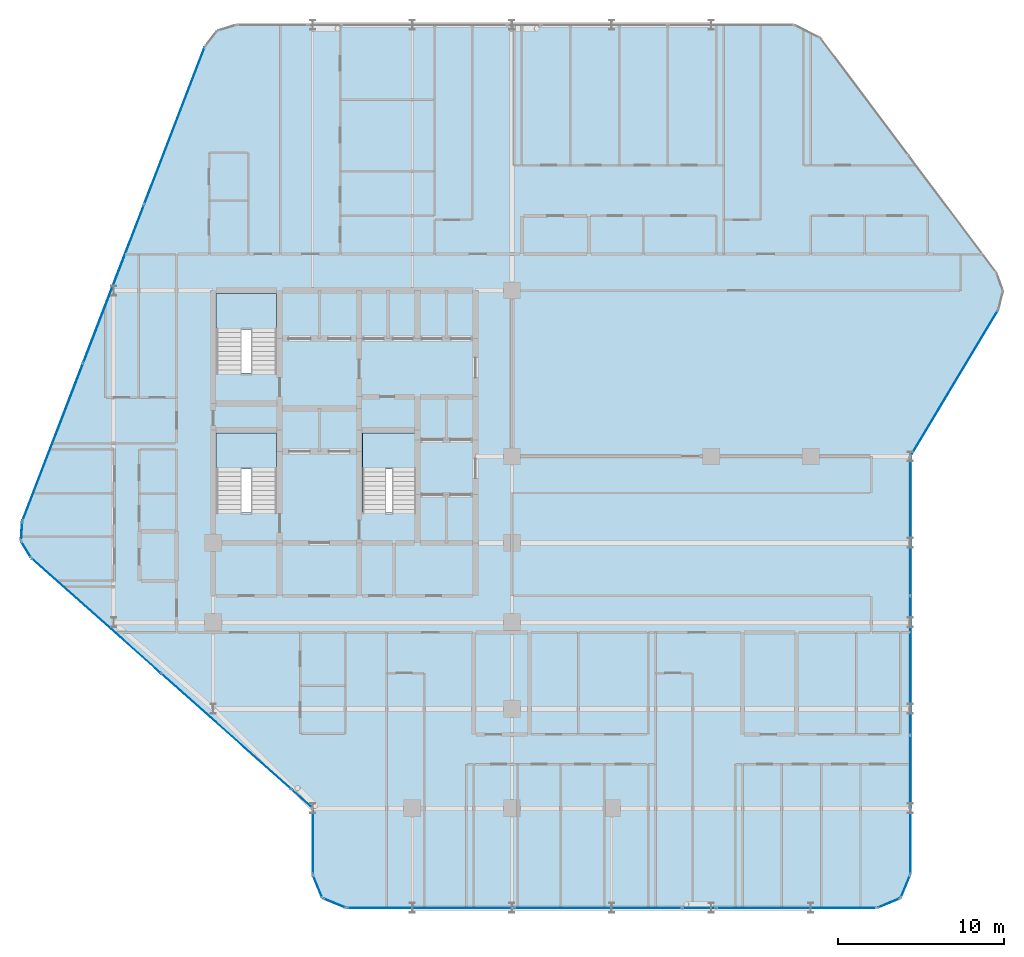
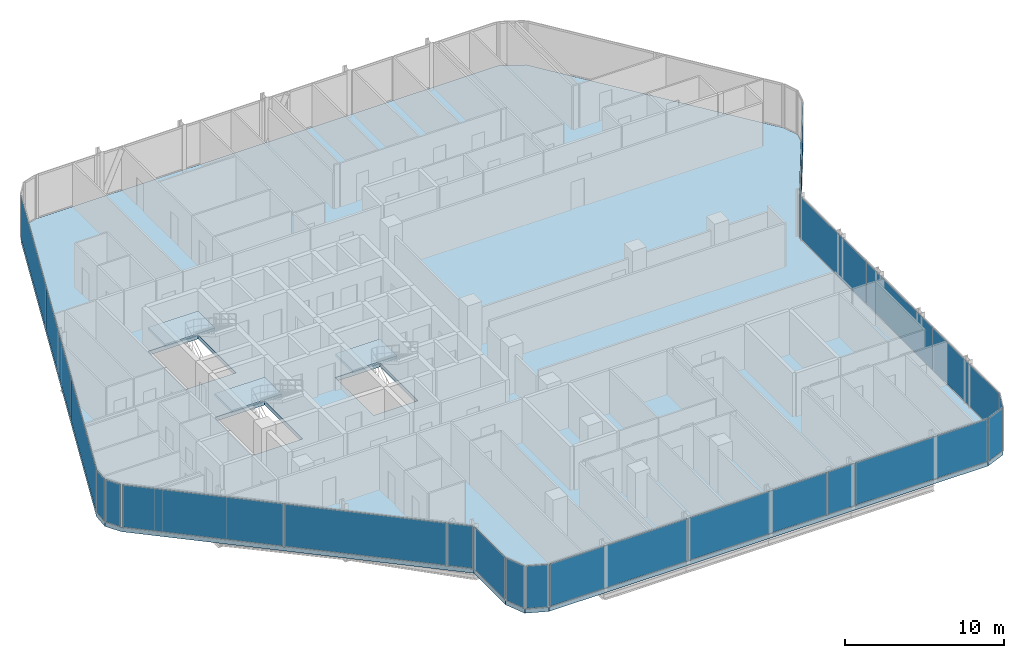
# One storey, part 21 of 29: 21 plates, 4 slabs, 18 elements without a shape of their own.
"""IFC4 building model written with IfcOpenShell, lengths in metres."""

from ifc_helpers import new_model, si_unit, direction, frame, origin, origin_2d, place, context, subcontext, project, spatial, polyline, rectangle, outline, extrude, material, layer, layer_set, type_object, element, aggregate, save


model = new_model("IFC4")

# Units and contexts
model_context = context("Model", 3, precision=1e-05, world=origin(), true_north=direction((0.0, 1.0)))
body_context = subcontext(model_context, "Body", "Model", "MODEL_VIEW")
ifc_project = project(units=[si_unit("LENGTHUNIT", "METRE"), si_unit("AREAUNIT", "SQUARE_METRE"), si_unit("VOLUMEUNIT", "CUBIC_METRE"), si_unit("PLANEANGLEUNIT", "RADIAN"), si_unit("MASSUNIT", "GRAM", prefix="KILO")], contexts=[model_context])

# Site, building, storey
site_placement = place(None, origin())
site = spatial("IfcSite", under=ifc_project, at=site_placement, CompositionType="ELEMENT")
building_placement = place(site_placement, origin())
building = spatial("IfcBuilding", under=site, at=building_placement, Name="Keshet Zoharim Tower", CompositionType="ELEMENT")
storey_placement = place(building_placement, frame((0.0, 0.0, 98.300048828125)))
storey = spatial("IfcBuildingStorey", under=building, at=storey_placement, Name="L23", CompositionType="ELEMENT", Elevation=98.300048828125)

# Curtain wall, plate
ifc_material_1 = material(Name="Aluminium 6063-T6", Category="aluminium")
ifc_layer_1 = layer(ifc_material_1, 0.159912109375)
ifc_layer_set_1 = layer_set([ifc_layer_1], Name="Aluminium 6063-T6")
curtain_wall_type = type_object("IfcCurtainWallType", Name="CW-SYS-03", PredefinedType="NOTDEFINED", material=ifc_layer_set_1)
curtain_wall_1_placement = place(storey_placement, origin())
curtain_wall_1 = element("IfcCurtainWall", 1, at=curtain_wall_1_placement, inside=storey, type_object=curtain_wall_type, Name="L23 Unitised Curtain Wall 01", PredefinedType="NOTDEFINED")
ifc_material_2 = material(Name="Insulated Low-E Clear Glass", Category="glass")
ifc_layer_2 = layer(ifc_material_2, 0.035888671875)
ifc_layer_set_2 = layer_set([ifc_layer_2], Name="Insulated Low-E Clear Glass")
plate_type_1 = type_object("IfcPlateType", Name="CWP-01", PredefinedType="CURTAIN_PANEL", material=ifc_layer_set_2)
plate_1_placement = place(storey_placement, frame((56.70703125, 1.992919921875, 0.06982421875), z_axis=(0.0, 0.0, 1.0), x_axis=(-0.382851849847, -0.92380975372, 0.0)))
plate_1 = element("IfcPlate", 2, at=plate_1_placement, type_object=plate_type_1, Name="CW-03 panel 1.1", PredefinedType="CURTAIN_PANEL", context=body_context, shape_type="SweptSolid", body=[
    extrude(rectangle(XDim=1.390625, YDim=0.035888671875, at=origin_2d()), origin(), (0.0, 0.0, 1.0), 3.2451171875),
])
aggregate(curtain_wall_1, [plate_1])

curtain_wall_2_placement = place(storey_placement, origin())
curtain_wall_2 = element("IfcCurtainWall", 3, at=curtain_wall_2_placement, inside=storey, type_object=curtain_wall_type, Name="L23 Unitised Curtain Wall 02", PredefinedType="NOTDEFINED")
plate_2_placement = place(storey_placement, frame((55.70703125, 0.992919921875, 0.06982421875), z_axis=(0.0, 0.0, 1.0), x_axis=(-0.92380975372, -0.382851849847, 0.0)))
plate_2 = element("IfcPlate", 4, at=plate_2_placement, type_object=plate_type_1, Name="CW-03 panel 1.1", PredefinedType="CURTAIN_PANEL", context=body_context, shape_type="SweptSolid", body=[
    extrude(rectangle(XDim=1.390625, YDim=0.035888671875, at=origin_2d()), origin(), (0.0, 0.0, 1.0), 3.2451171875),
])
aggregate(curtain_wall_2, [plate_2])

curtain_wall_3_placement = place(storey_placement, origin())
curtain_wall_3 = element("IfcCurtainWall", 5, at=curtain_wall_3_placement, inside=storey, type_object=curtain_wall_type, Name="L23 Unitised Curtain Wall 03", PredefinedType="NOTDEFINED")
plate_3_placement = place(storey_placement, frame((50.13134765625, 0.699951171875, 0.06982421875), z_axis=(0.0, 0.0, 1.0), x_axis=(-1.0, 0.0, 0.0)))
plate_3 = element("IfcPlate", 6, at=plate_3_placement, type_object=plate_type_1, Name="CW-03 panel 1.1", PredefinedType="CURTAIN_PANEL", context=body_context, shape_type="SweptSolid", body=[
    extrude(rectangle(XDim=9.597412109375, YDim=0.035888671875, at=origin_2d()), origin(), (0.0, 0.0, 1.0), 3.2451171875),
])
aggregate(curtain_wall_3, [plate_3])

# Curtain wall, plates
curtain_wall_4_placement = place(storey_placement, origin())
curtain_wall_4 = element("IfcCurtainWall", 7, at=curtain_wall_4_placement, inside=storey, type_object=curtain_wall_type, Name="L23 Unitised Curtain Wall 03 Part 3", PredefinedType="NOTDEFINED")
plate_4_placement = place(storey_placement, frame((38.195556640625, 0.699951171875, 0.06982421875), z_axis=(0.0, 0.0, 1.0), x_axis=(-1.0, 0.0, 0.0)))
plate_4 = element("IfcPlate", 8, at=plate_4_placement, type_object=plate_type_1, Name="CW-03 panel 1.1", PredefinedType="CURTAIN_PANEL", context=body_context, shape_type="SweptSolid", body=[
    extrude(rectangle(XDim=10.083740234375, YDim=0.035888671875, at=origin_2d()), origin(), (0.0, 0.0, 1.0), 3.2451171875),
])
plate_5_placement = place(storey_placement, frame((28.076904296875, 0.699951171875, 0.06982421875), z_axis=(0.0, 0.0, 1.0), x_axis=(-1.0, 0.0, 0.0)))
plate_5 = element("IfcPlate", 9, at=plate_5_placement, type_object=plate_type_1, Name="CW-03 panel 2.1", PredefinedType="CURTAIN_PANEL", context=body_context, shape_type="SweptSolid", body=[
    extrude(rectangle(XDim=10.013671875, YDim=0.035888671875, at=origin_2d()), origin(), (0.0, 0.0, 1.0), 3.2451171875),
])
aggregate(curtain_wall_4, [plate_4, plate_5])

# Curtain wall, plate
curtain_wall_5_placement = place(storey_placement, origin())
curtain_wall_5 = element("IfcCurtainWall", 10, at=curtain_wall_5_placement, inside=storey, type_object=curtain_wall_type, Name="L23 Unitised Curtain Wall 04", PredefinedType="NOTDEFINED")
plate_6_placement = place(storey_placement, frame((22.29296875, 0.992919921875, 0.06982421875), z_axis=(0.0, 0.0, 1.0), x_axis=(-0.92380975372, 0.382851849847, 0.0)))
plate_6 = element("IfcPlate", 11, at=plate_6_placement, type_object=plate_type_1, Name="CW-03 panel 1.1", PredefinedType="CURTAIN_PANEL", context=body_context, shape_type="SweptSolid", body=[
    extrude(rectangle(XDim=1.390625, YDim=0.035888671875, at=origin_2d()), origin(), (0.0, 0.0, 1.0), 3.2451171875),
])
aggregate(curtain_wall_5, [plate_6])

curtain_wall_6_placement = place(storey_placement, origin())
curtain_wall_6 = element("IfcCurtainWall", 12, at=curtain_wall_6_placement, inside=storey, type_object=curtain_wall_type, Name="L23 Unitised Curtain Wall 05", PredefinedType="NOTDEFINED")
plate_7_placement = place(storey_placement, frame((21.29296875, 1.992919921875, 0.06982421875), z_axis=(0.0, 0.0, 1.0), x_axis=(-0.382851849847, 0.92380975372, 0.0)))
plate_7 = element("IfcPlate", 13, at=plate_7_placement, type_object=plate_type_1, Name="CW-03 panel 1.1", PredefinedType="CURTAIN_PANEL", context=body_context, shape_type="SweptSolid", body=[
    extrude(rectangle(XDim=1.390625, YDim=0.035888671875, at=origin_2d()), origin(), (0.0, 0.0, 1.0), 3.2451171875),
])
aggregate(curtain_wall_6, [plate_7])

curtain_wall_7_placement = place(storey_placement, origin())
curtain_wall_7 = element("IfcCurtainWall", 14, at=curtain_wall_7_placement, inside=storey, type_object=curtain_wall_type, Name="L23 Unitised Curtain Wall 06", PredefinedType="NOTDEFINED")
plate_8_placement = place(storey_placement, frame((21.0, 4.699951171875, 0.06982421875), z_axis=(0.0, 0.0, 1.0), x_axis=(0.0, 1.0, 0.0)))
plate_8 = element("IfcPlate", 15, at=plate_8_placement, type_object=plate_type_1, Name="CW-03 panel 1.1", PredefinedType="CURTAIN_PANEL", context=body_context, shape_type="SweptSolid", body=[
    extrude(rectangle(XDim=3.860107421875, YDim=0.035888671875, at=origin_2d()), origin(), (0.0, 0.0, 1.0), 3.2451171875),
])
aggregate(curtain_wall_7, [plate_8])

# Curtain wall, plates
curtain_wall_8_placement = place(storey_placement, origin())
curtain_wall_8 = element("IfcCurtainWall", 16, at=curtain_wall_8_placement, inside=storey, type_object=curtain_wall_type, Name="L23 Unitised Curtain Wall 07 Part 2", PredefinedType="NOTDEFINED")
plate_9_placement = place(storey_placement, frame((15.78515625, 11.33544921875, 0.06982421875), z_axis=(0.0, 0.0, 1.0), x_axis=(-0.747409055186, 0.664364135264, 0.0)))
plate_9 = element("IfcPlate", 17, at=plate_9_placement, type_object=plate_type_1, Name="CW-03 panel 1.1", PredefinedType="CURTAIN_PANEL", context=body_context, shape_type="SweptSolid", body=[
    extrude(rectangle(XDim=10.43408203125, YDim=0.035888671875, at=origin_2d()), origin(), (0.0, 0.0, 1.0), 3.2451171875),
])
plate_10_placement = place(storey_placement, frame((7.96044921875, 18.290771484375, 0.06982421875), z_axis=(0.0, 0.0, 1.0), x_axis=(-0.747409055186, 0.664364135264, 0.0)))
plate_10 = element("IfcPlate", 18, at=plate_10_placement, type_object=plate_type_1, Name="CW-03 panel 2.1", PredefinedType="CURTAIN_PANEL", context=body_context, shape_type="SweptSolid", body=[
    extrude(rectangle(XDim=10.364013671875, YDim=0.035888671875, at=origin_2d()), origin(), (0.0, 0.0, 1.0), 3.2451171875),
])
aggregate(curtain_wall_8, [plate_9, plate_10])

# Curtain wall, plate
curtain_wall_9_placement = place(storey_placement, origin())
curtain_wall_9 = element("IfcCurtainWall", 19, at=curtain_wall_9_placement, inside=storey, type_object=curtain_wall_type, Name="L23 Unitised Curtain Wall 08", PredefinedType="NOTDEFINED")
plate_11_placement = place(storey_placement, frame((3.7275390625, 22.291015625, 0.06982421875), z_axis=(0.0, 0.0, 1.0), x_axis=(-0.515604947933, 0.856826433805, 0.0)))
plate_11 = element("IfcPlate", 20, at=plate_11_placement, type_object=plate_type_1, Name="CW-03 panel 1.1", PredefinedType="CURTAIN_PANEL", context=body_context, shape_type="SweptSolid", body=[
    extrude(rectangle(XDim=1.052734375, YDim=0.035888671875, at=origin_2d()), origin(), (0.0, 0.0, 1.0), 3.2451171875),
])
aggregate(curtain_wall_9, [plate_11])

curtain_wall_10_placement = place(storey_placement, origin())
curtain_wall_10 = element("IfcCurtainWall", 21, at=curtain_wall_10_placement, inside=storey, type_object=curtain_wall_type, Name="L23 Unitised Curtain Wall 09", PredefinedType="NOTDEFINED")
plate_12_placement = place(storey_placement, frame((3.45849609375, 23.3974609375, 0.06982421875), z_axis=(0.0, 0.0, 1.0), x_axis=(0.064516859374, 0.997916617186, 0.0)))
plate_12 = element("IfcPlate", 22, at=plate_12_placement, type_object=plate_type_1, Name="CW-03 panel 1.1", PredefinedType="CURTAIN_PANEL", context=body_context, shape_type="SweptSolid", body=[
    extrude(rectangle(XDim=1.053466796875, YDim=0.035888671875, at=origin_2d()), origin(), (0.0, 0.0, 1.0), 3.2451171875),
])
aggregate(curtain_wall_10, [plate_12])

# Curtain wall, plates
curtain_wall_11_placement = place(storey_placement, origin())
curtain_wall_11 = element("IfcCurtainWall", 23, at=curtain_wall_11_placement, inside=storey, type_object=curtain_wall_type, Name="L23 Unitised Curtain Wall 10", PredefinedType="NOTDEFINED")
plate_13_placement = place(storey_placement, frame((5.33837890625, 28.7802734375, 0.06982421875), z_axis=(0.0, 0.0, 1.0), x_axis=(0.358990003907, 0.933341404361, 0.0)))
plate_13 = element("IfcPlate", 24, at=plate_13_placement, type_object=plate_type_1, Name="CW-03 panel 1.1", PredefinedType="CURTAIN_PANEL", context=body_context, shape_type="SweptSolid", body=[
    extrude(rectangle(XDim=10.1181640625, YDim=0.035888671875, at=origin_2d()), origin(), (0.0, 0.0, 1.0), 3.2451171875),
])
plate_14_placement = place(storey_placement, frame((9.001953125, 38.305419921875, 0.06982421875), z_axis=(0.0, 0.0, 1.0), x_axis=(0.358990003907, 0.933341404361, 0.0)))
plate_14 = element("IfcPlate", 25, at=plate_14_placement, type_object=plate_type_1, Name="CW-03 panel 2.1", PredefinedType="CURTAIN_PANEL", context=body_context, shape_type="SweptSolid", body=[
    extrude(rectangle(XDim=10.153076171875, YDim=0.035888671875, at=origin_2d()), origin(), (0.0, 0.0, 1.0), 3.2451171875),
])
plate_15_placement = place(storey_placement, frame((12.665771484375, 47.830810546875, 0.06982421875), z_axis=(0.0, 0.0, 1.0), x_axis=(0.358990003907, 0.933341404361, 0.0)))
plate_15 = element("IfcPlate", 26, at=plate_15_placement, type_object=plate_type_1, Name="CW-03 panel 3.1", PredefinedType="CURTAIN_PANEL", context=body_context, shape_type="SweptSolid", body=[
    extrude(rectangle(XDim=10.1181640625, YDim=0.035888671875, at=origin_2d()), origin(), (0.0, 0.0, 1.0), 3.2451171875),
])
aggregate(curtain_wall_11, [plate_13, plate_14, plate_15])

# Curtain wall, plate
curtain_wall_12_placement = place(storey_placement, origin())
curtain_wall_12 = element("IfcCurtainWall", 27, at=curtain_wall_12_placement, inside=storey, type_object=curtain_wall_type, Name="L23 Unitised Curtain Wall 18", PredefinedType="NOTDEFINED")
plate_16_placement = place(storey_placement, frame((59.654052734375, 32.323486328125, 0.06982421875), z_axis=(0.0, 0.0, 1.0), x_axis=(-0.514481501576, -0.857501477862, 0.0)))
plate_16 = element("IfcPlate", 28, at=plate_16_placement, type_object=plate_type_1, Name="CW-03 panel 1.1", PredefinedType="CURTAIN_PANEL", context=body_context, shape_type="SweptSolid", body=[
    extrude(rectangle(XDim=10.17724609375, YDim=0.035888671875, at=origin_2d()), origin(), (0.0, 0.0, 1.0), 3.2451171875),
])
aggregate(curtain_wall_12, [plate_16])

# Curtain wall, plates
curtain_wall_13_placement = place(storey_placement, origin())
curtain_wall_13 = element("IfcCurtainWall", 29, at=curtain_wall_13_placement, inside=storey, type_object=curtain_wall_type, Name="L23 Unitised Curtain Wall 19", PredefinedType="NOTDEFINED")
ifc_layer_3 = layer(ifc_material_2, 0.031982421875)
ifc_layer_set_3 = layer_set([ifc_layer_3], Name="Insulated Low-E Clear Glass")
plate_type_2 = type_object("IfcPlateType", Name="CWP-02", PredefinedType="CURTAIN_PANEL", material=ifc_layer_set_3)
plate_17_placement = place(storey_placement, frame((57.0, 23.6826171875, 0.06982421875), z_axis=(0.0, 0.0, 1.0), x_axis=(0.0, -1.0, 0.0)))
plate_17 = element("IfcPlate", 30, at=plate_17_placement, type_object=plate_type_2, Name="CW-03 panel 1.1", PredefinedType="CURTAIN_PANEL", context=body_context, shape_type="SweptSolid", body=[
    extrude(rectangle(XDim=8.294921875, YDim=0.031982421875, at=origin_2d()), origin(), (0.0, 0.0, 1.0), 3.2451171875),
])
plate_18_placement = place(storey_placement, frame((57.0, 15.300048828125, 0.06982421875), z_axis=(0.0, 0.0, 1.0), x_axis=(0.0, -1.0, 0.0)))
plate_18 = element("IfcPlate", 31, at=plate_18_placement, type_object=plate_type_2, Name="CW-03 panel 2.1", PredefinedType="CURTAIN_PANEL", context=body_context, shape_type="SweptSolid", body=[
    extrude(rectangle(XDim=8.330078125, YDim=0.031982421875, at=origin_2d()), origin(), (0.0, 0.0, 1.0), 3.2451171875),
])
plate_19_placement = place(storey_placement, frame((57.0, 6.91748046875, 0.06982421875), z_axis=(0.0, 0.0, 1.0), x_axis=(0.0, -1.0, 0.0)))
plate_19 = element("IfcPlate", 32, at=plate_19_placement, type_object=plate_type_2, Name="CW-03 panel 3.1", PredefinedType="CURTAIN_PANEL", context=body_context, shape_type="SweptSolid", body=[
    extrude(rectangle(XDim=8.294921875, YDim=0.031982421875, at=origin_2d()), origin(), (0.0, 0.0, 1.0), 3.2451171875),
])
aggregate(curtain_wall_13, [plate_17, plate_18, plate_19])

# Curtain wall, plate
curtain_wall_14_placement = place(storey_placement, origin())
curtain_wall_14 = element("IfcCurtainWall", 33, at=curtain_wall_14_placement, inside=storey, type_object=curtain_wall_type, Name="L23 Unitised Curtain Wall 03 Part 2", PredefinedType="NOTDEFINED")
ifc_material_3 = material(Name="Insulated Aluminium Spandrel Panel", Category="aluminium")
ifc_layer_4 = layer(ifc_material_3, 0.035888671875)
ifc_layer_set_4 = layer_set([ifc_layer_4], Name="Insulated Aluminium Spandrel Panel")
plate_type_3 = type_object("IfcPlateType", Name="CWP-04", PredefinedType="CURTAIN_PANEL", material=ifc_layer_set_4)
plate_20_placement = place(storey_placement, frame((44.284912109375, 0.699951171875, 0.06982421875), z_axis=(0.0, 0.0, 1.0), x_axis=(-1.0, 0.0, 0.0)))
plate_20 = element("IfcPlate", 34, at=plate_20_placement, type_object=plate_type_3, Name="CW-03 spandrel panel 1.1", PredefinedType="CURTAIN_PANEL", context=body_context, shape_type="SweptSolid", body=[
    extrude(rectangle(XDim=1.955078125, YDim=0.035888671875, at=origin_2d()), origin(), (0.0, 0.0, 1.0), 3.2451171875),
])
aggregate(curtain_wall_14, [plate_20])

curtain_wall_15_placement = place(storey_placement, origin())
curtain_wall_15 = element("IfcCurtainWall", 35, at=curtain_wall_15_placement, inside=storey, type_object=curtain_wall_type, Name="L23 Unitised Curtain Wall 07", PredefinedType="NOTDEFINED")
plate_21_placement = place(storey_placement, frame((20.342041015625, 7.28466796875, 0.06982421875), z_axis=(0.0, 0.0, 1.0), x_axis=(-0.747412452867, 0.664360312857, 0.0)))
plate_21 = element("IfcPlate", 36, at=plate_21_placement, type_object=plate_type_3, Name="CW-03 spandrel panel 1.1", PredefinedType="CURTAIN_PANEL", context=body_context, shape_type="SweptSolid", body=[
    extrude(rectangle(XDim=1.620361328125, YDim=0.035888671875, at=origin_2d()), origin(), (0.0, 0.0, 1.0), 3.2451171875),
])
aggregate(curtain_wall_15, [plate_21])

# Stair, slab
ifc_material_4 = material(Name="Concrete C50/60", Category="concrete")
stair_type = type_object("IfcStairType", Name="STR-EXIT-135", PredefinedType="HALF_TURN_STAIR", material=ifc_material_4)
stair_1_placement = place(storey_placement, origin())
stair_1 = element("IfcStair", 37, at=stair_1_placement, inside=storey, type_object=stair_type, Name="L23 Enclosed Exit Stair ST-01", PredefinedType="HALF_TURN_STAIR")
ifc_layer_5 = layer(ifc_material_4, 0.199951171875)
ifc_layer_set_5 = layer_set([ifc_layer_5], Name="Concrete C50/60")
slab_type_1 = type_object("IfcSlabType", Name="SLB-LND-200", PredefinedType="LANDING", material=ifc_layer_set_5)
slab_1_placement = place(storey_placement, frame((0.0, 0.0, 1.64990234375)))
slab_1 = element("IfcSlab", 38, at=slab_1_placement, type_object=slab_type_1, Name="ST-01 landing 1", PredefinedType="LANDING", context=body_context, shape_type="SweptSolid", body=[
    extrude(outline(polyline([(15.179931640625, 27.159912109375), (18.820068359375, 27.159912109375), (18.820068359375, 29.320068359375), (15.179931640625, 29.320068359375), (15.179931640625, 27.159912109375)])), origin(), (0.0, 0.0, 1.0), 0.199951171875),
])
aggregate(stair_1, [slab_1])

stair_2_placement = place(storey_placement, origin())
stair_2 = element("IfcStair", 39, at=stair_2_placement, inside=storey, type_object=stair_type, Name="L23 Enclosed Exit Stair ST-02", PredefinedType="HALF_TURN_STAIR")
slab_2_placement = place(storey_placement, frame((0.0, 0.0, 1.64990234375)))
slab_2 = element("IfcSlab", 40, at=slab_2_placement, type_object=slab_type_1, Name="ST-02 landing 1", PredefinedType="LANDING", context=body_context, shape_type="SweptSolid", body=[
    extrude(outline(polyline([(15.179931640625, 35.56005859375), (18.820068359375, 35.56005859375), (18.820068359375, 37.719970703125), (15.179931640625, 37.719970703125), (15.179931640625, 35.56005859375)])), origin(), (0.0, 0.0, 1.0), 0.199951171875),
])
aggregate(stair_2, [slab_2])

stair_3_placement = place(storey_placement, origin())
stair_3 = element("IfcStair", 41, at=stair_3_placement, inside=storey, type_object=stair_type, Name="L23 Enclosed Exit Stair ST-03", PredefinedType="HALF_TURN_STAIR")
slab_3_placement = place(storey_placement, frame((0.0, 0.0, 1.64990234375)))
slab_3 = element("IfcSlab", 42, at=slab_3_placement, type_object=slab_type_1, Name="ST-03 landing 1", PredefinedType="LANDING", context=body_context, shape_type="SweptSolid", body=[
    extrude(outline(polyline([(23.97998046875, 27.159912109375), (27.219970703125, 27.159912109375), (27.219970703125, 29.320068359375), (23.97998046875, 29.320068359375), (23.97998046875, 27.159912109375)])), origin(), (0.0, 0.0, 1.0), 0.199951171875),
])
aggregate(stair_3, [slab_3])

# Slab
ifc_layer_6 = layer(ifc_material_4, 0.31494140625)
ifc_layer_set_6 = layer_set([ifc_layer_6], Name="Concrete C50/60")
slab_type_2 = type_object("IfcSlabType", Name="SLB-LOW-260", PredefinedType="FLOOR", material=ifc_layer_set_6)
slab_4_placement = place(storey_placement, frame((0.0, 0.0, -0.31494140625)))
element("IfcSlab", 43, at=slab_4_placement, inside=storey, type_object=slab_type_2, Name="L23 Structural Floor Slab 1", PredefinedType="FLOOR", context=body_context, shape_type="SweptSolid", body=[
    extrude(outline(polyline([(57.0, 2.699951171875), (56.4140625, 1.285888671875), (55.0, 0.699951171875), (23.0, 0.699951171875), (21.5859375, 1.285888671875), (21.0, 2.699951171875), (21.0, 6.699951171875), (4.034912109375, 21.780029296875), (3.419921875, 22.802001953125), (3.4970703125, 23.992919921875), (14.507080078125, 52.617919921875), (15.240966796875, 53.549072265625), (16.3740234375, 53.89990234375), (50.0, 53.89990234375), (51.60009765625, 53.10009765625), (62.193115234375, 38.97607421875), (62.590087890625, 37.87890625), (62.30810546875, 36.7470703125), (57.0, 27.89990234375), (57.0, 2.699951171875)]), holes=[polyline([(15.179931640625, 24.52001953125), (18.820068359375, 24.52001953125), (18.820068359375, 29.320068359375), (15.179931640625, 29.320068359375), (15.179931640625, 24.52001953125)]), polyline([(15.179931640625, 32.919921875), (18.820068359375, 32.919921875), (18.820068359375, 37.719970703125), (15.179931640625, 37.719970703125), (15.179931640625, 32.919921875)]), polyline([(23.97998046875, 24.52001953125), (27.219970703125, 24.52001953125), (27.219970703125, 29.320068359375), (23.97998046875, 29.320068359375), (23.97998046875, 24.52001953125)])]), origin(), (0.0, 0.0, 1.0), 0.31494140625),
])

save(model, "model.ifc")
